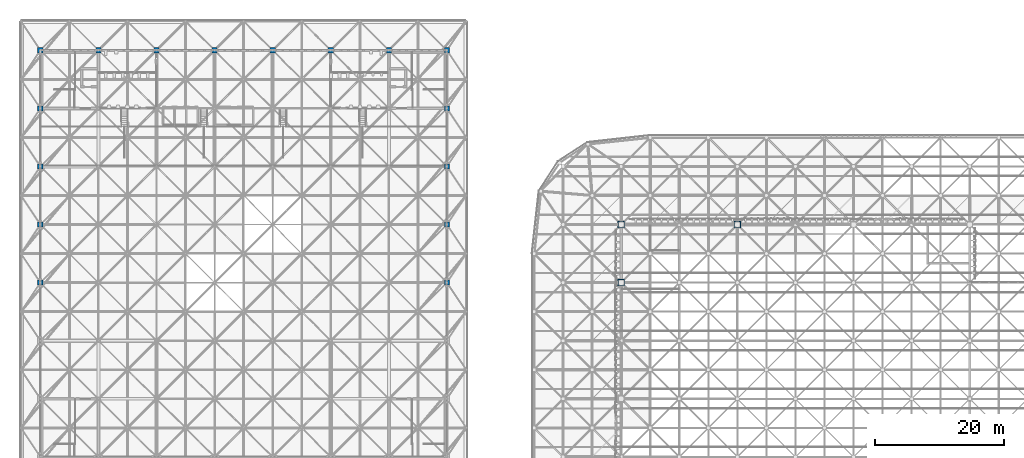
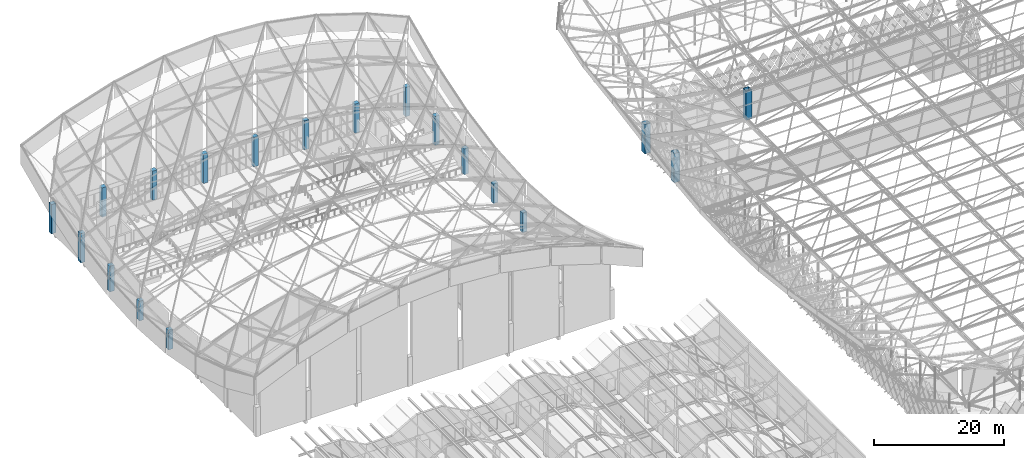
# One storey, part 7 of 437: 19 columns.
"""IFC4 building model written with IfcOpenShell, lengths in metres."""

from ifc_helpers import new_model, si_unit, direction, frame, origin, origin_2d, place, context, subcontext, project, spatial, rectangle, hollow_rectangle, extrude, material, material_profile, profile_set, type_object, element, save


model = new_model("IFC4")

# Units and contexts
model_context = context("Model", 3, precision=1e-05, world=origin(), true_north=direction((0.0, 1.0)))
body_context = subcontext(model_context, "Body", "Model", "MODEL_VIEW")
ifc_project = project(units=[si_unit("LENGTHUNIT", "METRE"), si_unit("AREAUNIT", "SQUARE_METRE"), si_unit("VOLUMEUNIT", "CUBIC_METRE"), si_unit("PLANEANGLEUNIT", "RADIAN"), si_unit("MASSUNIT", "GRAM", prefix="KILO")], contexts=[model_context])

# Site, building, storey
site_placement = place(None, origin())
site = spatial("IfcSite", under=ifc_project, at=site_placement, CompositionType="ELEMENT")
building_placement = place(site_placement, origin())
building = spatial("IfcBuilding", under=site, at=building_placement, Name="Opaline Strait Convention Centre", CompositionType="ELEMENT")
storey_placement = place(building_placement, frame((0.0, 0.0, 11.5)))
storey = spatial("IfcBuildingStorey", under=building, at=storey_placement, Name="L02", CompositionType="ELEMENT", Elevation=11.5)

# Columns
ifc_material_1 = material(Name="Steel Q355B", Category="steel")
ifc_material_profile_1 = material_profile(ifc_material_1, hollow_rectangle(XDim=1.0, YDim=1.0, WallThickness=0.031982421875, at=origin_2d()), Name="BOX 1000x1000x32")
ifc_profile_set_1 = profile_set([ifc_material_profile_1], Name="Steel Q355B")
column_type_1 = type_object("IfcColumnType", Name="CFT column BOX 1000x1000x32 C60 fill", PredefinedType="COLUMN", material=ifc_profile_set_1)
for number, where, z_axis, x_axis, name in (
    (1, (99.0, 144.0, 0.0), (0.0, 0.0, 1.0), (1.0, 0.0, 0.0), "Roof column XC-06"),
    (2, (99.0, 153.0, 0.0), (0.0, 0.0, 1.0), (1.0, 0.0, 0.0), "Roof column XC-07"),
    (3, (117.0, 153.0, 0.0), (0.0, 0.0, 1.0), (1.0, 0.0, 0.0), "Roof column XC-09"),
):
    element("IfcColumn", number, at=place(storey_placement, frame(where, z_axis=z_axis, x_axis=x_axis)), inside=storey, type_object=column_type_1, Name=name, ObjectType="XC1", PredefinedType="COLUMN", context=body_context, shape_type="SweptSolid", body=[
        extrude(hollow_rectangle(XDim=1.0, YDim=1.0, WallThickness=0.031982421875, at=origin_2d()), origin(), (0.0, 0.0, 1.0), 5.5),
    ])
ifc_material_2 = material(Name="Concrete C40", Category="concrete")
ifc_material_profile_2 = material_profile(ifc_material_2, rectangle(XDim=0.800048828125, YDim=0.800048828125, at=origin_2d()), Name="RC 800x800")
ifc_profile_set_2 = profile_set([ifc_material_profile_2], Name="Concrete C40")
column_type_2 = type_object("IfcColumnType", Name="RC column 800x800 C40", PredefinedType="COLUMN", material=ifc_profile_set_2)
for number, where, z_axis, x_axis, name in (
    (4, (9.0, 144.0, 0.0), (0.0, 0.0, 1.0), (1.0, 0.0, 0.0), "XC2 L02 at 2/S"),
    (5, (72.0, 144.0, 0.0), (0.0, 0.0, 1.0), (1.0, 0.0, 0.0), "XC2 L02 at 9/S"),
    (6, (9.0, 153.0, 0.0), (0.0, 0.0, 1.0), (1.0, 0.0, 0.0), "XC2 L02 at 2/T"),
    (7, (72.0, 153.0, 0.0), (0.0, 0.0, 1.0), (1.0, 0.0, 0.0), "XC2 L02 at 9/T"),
):
    element("IfcColumn", number, at=place(storey_placement, frame(where, z_axis=z_axis, x_axis=x_axis)), inside=storey, type_object=column_type_2, Name=name, PredefinedType="COLUMN", context=body_context, shape_type="SweptSolid", body=[
        extrude(rectangle(XDim=0.800048828125, YDim=0.800048828125, at=origin_2d()), origin(), (0.0, 0.0, 1.0), 3.682861328125),
    ])
for number, where, z_axis, x_axis, name in (
    (8, (9.0, 162.0, 0.0), (0.0, 0.0, 1.0), (1.0, 0.0, 0.0), "XC2 L02 at 2/U"),
    (9, (72.0, 162.0, 0.0), (0.0, 0.0, 1.0), (1.0, 0.0, 0.0), "XC2 L02 at 9/U"),
):
    element("IfcColumn", number, at=place(storey_placement, frame(where, z_axis=z_axis, x_axis=x_axis)), inside=storey, type_object=column_type_2, Name=name, PredefinedType="COLUMN", context=body_context, shape_type="SweptSolid", body=[
        extrude(rectangle(XDim=0.800048828125, YDim=0.800048828125, at=origin_2d()), origin(), (0.0, 0.0, 1.0), 4.82568359375),
    ])
for number, where, z_axis, x_axis, name in (
    (10, (9.0, 171.0, 0.0), (0.0, 0.0, 1.0), (1.0, 0.0, 0.0), "XC2 L02 at 2/V"),
    (11, (72.0, 171.0, 0.0), (0.0, 0.0, 1.0), (1.0, 0.0, 0.0), "XC2 L02 at 9/V"),
    (12, (9.0, 180.0, 0.0), (0.0, 0.0, 1.0), (1.0, 0.0, 0.0), "XC2 L02 at 2/W"),
    (13, (18.0, 180.0, 0.0), (0.0, 0.0, 1.0), (1.0, 0.0, 0.0), "XC2 L02 at 3/W"),
    (14, (27.0, 180.0, 0.0), (0.0, 0.0, 1.0), (1.0, 0.0, 0.0), "XC2 L02 at 4/W"),
    (15, (36.0, 180.0, 0.0), (0.0, 0.0, 1.0), (1.0, 0.0, 0.0), "XC2 L02 at 5/W"),
    (16, (45.0, 180.0, 0.0), (0.0, 0.0, 1.0), (1.0, 0.0, 0.0), "XC2 L02 at 6/W"),
    (17, (54.0, 180.0, 0.0), (0.0, 0.0, 1.0), (1.0, 0.0, 0.0), "XC2 L02 at 7/W"),
    (18, (63.0, 180.0, 0.0), (0.0, 0.0, 1.0), (1.0, 0.0, 0.0), "XC2 L02 at 8/W"),
    (19, (72.0, 180.0, 0.0), (0.0, 0.0, 1.0), (1.0, 0.0, 0.0), "XC2 L02 at 9/W"),
):
    element("IfcColumn", number, at=place(storey_placement, frame(where, z_axis=z_axis, x_axis=x_axis)), inside=storey, type_object=column_type_2, Name=name, PredefinedType="COLUMN", context=body_context, shape_type="SweptSolid", body=[
        extrude(rectangle(XDim=0.800048828125, YDim=0.800048828125, at=origin_2d()), origin(), (0.0, 0.0, 1.0), 5.5),
    ])

save(model, "model.ifc")
